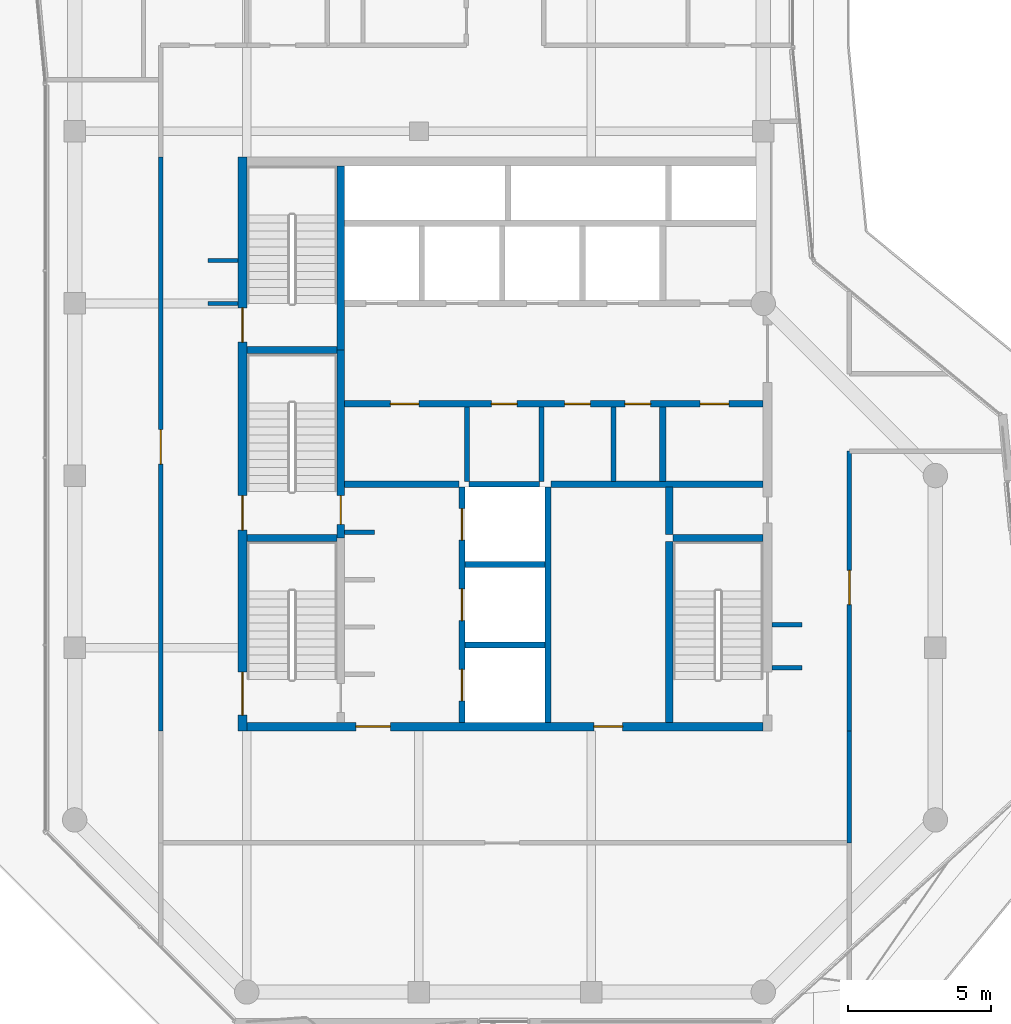
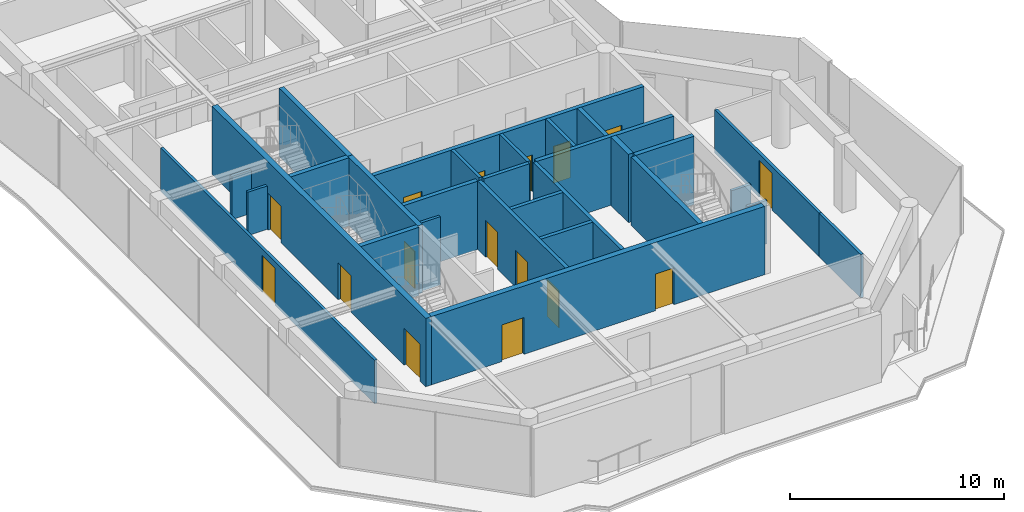
# One storey, part 18 of 22: 29 walls, 16 doors, 16 openings.
"""IFC4 building model written with IfcOpenShell, lengths in metres."""

from ifc_helpers import new_model, si_unit, direction, frame, frame_2d, origin, place, context, subcontext, project, spatial, rectangle, extrude, material, layer, layer_set, type_object, element, fill, save


model = new_model("IFC4")

# Units and contexts
model_context = context("Model", 3, precision=1e-05, world=origin(), true_north=direction((0.0, 1.0)))
body_context = subcontext(model_context, "Body", "Model", "MODEL_VIEW")
ifc_project = project(units=[si_unit("LENGTHUNIT", "METRE"), si_unit("AREAUNIT", "SQUARE_METRE"), si_unit("VOLUMEUNIT", "CUBIC_METRE"), si_unit("PLANEANGLEUNIT", "RADIAN"), si_unit("MASSUNIT", "GRAM", prefix="KILO")], contexts=[model_context])

# Site, building, storey
site_placement = place(None, origin())
site = spatial("IfcSite", under=ifc_project, at=site_placement, CompositionType="ELEMENT")
building_placement = place(site_placement, origin())
building = spatial("IfcBuilding", under=site, at=building_placement, Name="Welwitschia Terrace Campus", CompositionType="ELEMENT")
storey_placement = place(building_placement, frame((0.0, 0.0, 310.39990234375)))
storey = spatial("IfcBuildingStorey", under=building, at=storey_placement, Name="L69", CompositionType="ELEMENT", Elevation=310.39990234375)

# Walls
ifc_material_1 = material(Name="Concrete C32/40", Category="concrete")
ifc_layer_1 = layer(ifc_material_1, 0.175048828125)
ifc_layer_set_1 = layer_set([ifc_layer_1], Name="Concrete C32/40")
wall_type_1 = type_object("IfcWallType", Name="Core partition 175 Concrete C32/40", PredefinedType="PARTITIONING", material=ifc_layer_set_1)
for number, where, z_axis, x_axis, name in (
    (1, (13.675048828125, 13.800048828125, 0.0), (0.0, 0.0, 1.0), (0.0, 1.0, 0.0), "Core partition"),
    (2, (16.27490234375, 13.800048828125, 0.0), (0.0, 0.0, 1.0), (0.0, 1.0, 0.0), "Core partition"),
    (3, (18.77490234375, 13.800048828125, 0.0), (0.0, 0.0, 1.0), (0.0, 1.0, 0.0), "Core partition"),
):
    element("IfcWall", number, at=place(storey_placement, frame(where, z_axis=z_axis, x_axis=x_axis)), inside=storey, type_object=wall_type_1, Name=name, PredefinedType="PARTITIONING", context=body_context, shape_type="SweptSolid", body=[
        extrude(rectangle(XDim=2.599853515625, YDim=0.175048828125, at=frame_2d((1.2998046875, 0.0))), origin(), (0.0, 0.0, 1.0), 3.900146484375),
    ])
ifc_material_2 = material(Name="Concrete C32/40", Category="concrete")
ifc_layer_2 = layer(ifc_material_2, 0.22509765625)
ifc_layer_set_2 = layer_set([ifc_layer_2], Name="Concrete C32/40")
wall_type_2 = type_object("IfcWallType", Name="Core partition 225 Concrete C32/40", PredefinedType="PARTITIONING", material=ifc_layer_set_2)
wall_1_placement = place(storey_placement, frame((9.39990234375, 13.699951171875, 0.0), z_axis=(0.0, 0.0, 1.0), x_axis=(1.0, 0.0, 0.0)))
element("IfcWall", 4, at=wall_1_placement, inside=storey, type_object=wall_type_2, Name="Core partition", PredefinedType="PARTITIONING", context=body_context, shape_type="SweptSolid", body=[
    extrude(rectangle(XDim=4.0, YDim=0.22509765625, at=frame_2d((2.0, 0.0))), origin(), (0.0, 0.0, 1.0), 3.900146484375),
])
wall_2_placement = place(storey_placement, frame((16.60009765625, 13.699951171875, 0.0), z_axis=(0.0, 0.0, 1.0), x_axis=(1.0, 0.0, 0.0)))
element("IfcWall", 5, at=wall_2_placement, inside=storey, type_object=wall_type_2, Name="Core partition", PredefinedType="PARTITIONING", context=body_context, shape_type="SweptSolid", body=[
    extrude(rectangle(XDim=7.39990234375, YDim=0.22509765625, at=frame_2d((3.699951171875, 0.0))), origin(), (0.0, 0.0, 1.0), 3.900146484375),
])

# Wall, openings, doors
wall_3_placement = place(storey_placement, frame((9.39990234375, 16.5, 0.0), z_axis=(0.0, 0.0, 1.0), x_axis=(1.0, 0.0, 0.0)))
wall_3 = element("IfcWall", 6, at=wall_3_placement, inside=storey, type_object=wall_type_2, Name="Core partition", PredefinedType="PARTITIONING", context=body_context, shape_type="SweptSolid", body=[
    extrude(rectangle(XDim=14.60009765625, YDim=0.22509765625, at=frame_2d((7.300048828125, 0.0))), origin(), (0.0, 0.0, 1.0), 3.900146484375),
])
opening_1_placement = place(wall_3_placement, frame((1.60009765625, 0.0, 0.0)))
opening_1 = element("IfcOpeningElement", 7, at=opening_1_placement, cuts=wall_3, Name="Opening DR10", PredefinedType="OPENING", context=body_context, shape_type="SweptSolid", body=[
    extrude(rectangle(XDim=1.0, YDim=2.10009765625, at=frame_2d((0.5, 1.050048828125))), frame((0.0, 0.12255859375, 0.0), z_axis=(0.0, -1.0, 0.0), x_axis=(1.0, 0.0, 0.0)), (0.0, 0.0, 1.0), 0.2451171875),
])
opening_2_placement = place(wall_3_placement, frame((5.125, 0.0, 0.0)))
opening_2 = element("IfcOpeningElement", 8, at=opening_2_placement, cuts=wall_3, Name="Opening DR09", PredefinedType="OPENING", context=body_context, shape_type="SweptSolid", body=[
    extrude(rectangle(XDim=0.89990234375, YDim=2.10009765625, at=frame_2d((0.449951171875, 1.050048828125))), frame((0.0, 0.12255859375, 0.0), z_axis=(0.0, -1.0, 0.0), x_axis=(1.0, 0.0, 0.0)), (0.0, 0.0, 1.0), 0.2451171875),
])
opening_3_placement = place(wall_3_placement, frame((7.675048828125, 0.0, 0.0)))
opening_3 = element("IfcOpeningElement", 9, at=opening_3_placement, cuts=wall_3, Name="Opening DR09", PredefinedType="OPENING", context=body_context, shape_type="SweptSolid", body=[
    extrude(rectangle(XDim=0.89990234375, YDim=2.10009765625, at=frame_2d((0.449951171875, 1.050048828125))), frame((0.0, 0.12255859375, 0.0), z_axis=(0.0, -1.0, 0.0), x_axis=(1.0, 0.0, 0.0)), (0.0, 0.0, 1.0), 0.2451171875),
])
opening_4_placement = place(wall_3_placement, frame((9.77490234375, 0.0, 0.0)))
opening_4 = element("IfcOpeningElement", 10, at=opening_4_placement, cuts=wall_3, Name="Opening DR09", PredefinedType="OPENING", context=body_context, shape_type="SweptSolid", body=[
    extrude(rectangle(XDim=0.89990234375, YDim=2.10009765625, at=frame_2d((0.449951171875, 1.050048828125))), frame((0.0, 0.12255859375, 0.0), z_axis=(0.0, -1.0, 0.0), x_axis=(1.0, 0.0, 0.0)), (0.0, 0.0, 1.0), 0.2451171875),
])
opening_5_placement = place(wall_3_placement, frame((12.39990234375, 0.0, 0.0)))
opening_5 = element("IfcOpeningElement", 11, at=opening_5_placement, cuts=wall_3, Name="Opening DR10", PredefinedType="OPENING", context=body_context, shape_type="SweptSolid", body=[
    extrude(rectangle(XDim=1.0, YDim=2.10009765625, at=frame_2d((0.5, 1.050048828125))), frame((0.0, 0.12255859375, 0.0), z_axis=(0.0, -1.0, 0.0), x_axis=(1.0, 0.0, 0.0)), (0.0, 0.0, 1.0), 0.2451171875),
])
ifc_material_3 = material(Name="Steel S275", Category="steel")
door_type_1 = type_object("IfcDoorType", Name="Core door DR09", OperationType="SINGLE_SWING_LEFT", PredefinedType="DOOR", material=ifc_material_3)
door_1_placement = place(opening_2_placement, origin())
door_1 = element("IfcDoor", 12, at=door_1_placement, inside=storey, type_object=door_type_1, Name="Door BAYL2-D", OperationType="SINGLE_SWING_LEFT", OverallHeight=2.10009765625, OverallWidth=0.89990234375, PredefinedType="DOOR", context=body_context, shape_type="SweptSolid", body=[
    extrude(rectangle(XDim=0.89990234375, YDim=2.10009765625, at=frame_2d((0.449951171875, 1.050048828125))), frame((0.0, 0.02490234375, 0.0), z_axis=(0.0, -1.0, 0.0), x_axis=(1.0, 0.0, 0.0)), (0.0, 0.0, 1.0), 0.050048828125),
])
fill(opening_2, door_1)
door_2_placement = place(opening_3_placement, origin())
door_2 = element("IfcDoor", 13, at=door_2_placement, inside=storey, type_object=door_type_1, Name="Door BAYL3-D", OperationType="SINGLE_SWING_RIGHT", OverallHeight=2.10009765625, OverallWidth=0.89990234375, PredefinedType="DOOR", context=body_context, shape_type="SweptSolid", body=[
    extrude(rectangle(XDim=0.89990234375, YDim=2.10009765625, at=frame_2d((0.449951171875, 1.050048828125))), frame((0.0, 0.02490234375, 0.0), z_axis=(0.0, -1.0, 0.0), x_axis=(1.0, 0.0, 0.0)), (0.0, 0.0, 1.0), 0.050048828125),
])
fill(opening_3, door_2)
door_3_placement = place(opening_4_placement, origin())
door_3 = element("IfcDoor", 14, at=door_3_placement, inside=storey, type_object=door_type_1, Name="Door BAYL4-D", OperationType="SINGLE_SWING_RIGHT", OverallHeight=2.10009765625, OverallWidth=0.89990234375, PredefinedType="DOOR", context=body_context, shape_type="SweptSolid", body=[
    extrude(rectangle(XDim=0.89990234375, YDim=2.10009765625, at=frame_2d((0.449951171875, 1.050048828125))), frame((0.0, 0.02490234375, 0.0), z_axis=(0.0, -1.0, 0.0), x_axis=(1.0, 0.0, 0.0)), (0.0, 0.0, 1.0), 0.050048828125),
])
fill(opening_4, door_3)
ifc_material_4 = material(Name="Steel S275", Category="steel")
door_type_2 = type_object("IfcDoorType", Name="Core door DR10", OperationType="SINGLE_SWING_LEFT", PredefinedType="DOOR", material=ifc_material_4)
door_4_placement = place(opening_1_placement, origin())
door_4 = element("IfcDoor", 15, at=door_4_placement, inside=storey, type_object=door_type_2, Name="Door BAYL1-D", OperationType="SINGLE_SWING_LEFT", OverallHeight=2.10009765625, OverallWidth=1.0, PredefinedType="DOOR", context=body_context, shape_type="SweptSolid", body=[
    extrude(rectangle(XDim=1.0, YDim=2.10009765625, at=frame_2d((0.5, 1.050048828125))), frame((0.0, 0.02490234375, 0.0), z_axis=(0.0, -1.0, 0.0), x_axis=(1.0, 0.0, 0.0)), (0.0, 0.0, 1.0), 0.050048828125),
])
fill(opening_1, door_4)
door_5_placement = place(opening_5_placement, origin())
door_5 = element("IfcDoor", 16, at=door_5_placement, inside=storey, type_object=door_type_2, Name="Door EL-D", OperationType="SINGLE_SWING_RIGHT", OverallHeight=2.10009765625, OverallWidth=1.0, PredefinedType="DOOR", context=body_context, shape_type="SweptSolid", body=[
    extrude(rectangle(XDim=1.0, YDim=2.10009765625, at=frame_2d((0.5, 1.050048828125))), frame((0.0, 0.02490234375, 0.0), z_axis=(0.0, -1.0, 0.0), x_axis=(1.0, 0.0, 0.0)), (0.0, 0.0, 1.0), 0.050048828125),
])
fill(opening_5, door_5)

# Walls
wall_4_placement = place(storey_placement, frame((20.5, 13.800048828125, 0.0), z_axis=(0.0, 0.0, 1.0), x_axis=(0.0, 1.0, 0.0)))
element("IfcWall", 17, at=wall_4_placement, inside=storey, type_object=wall_type_2, Name="Core partition", PredefinedType="PARTITIONING", context=body_context, shape_type="SweptSolid", body=[
    extrude(rectangle(XDim=2.599853515625, YDim=0.22509765625, at=frame_2d((1.2998046875, 0.0))), origin(), (0.0, 0.0, 1.0), 3.900146484375),
])
ifc_material_5 = material(Name="Concrete C32/40", Category="concrete")
ifc_layer_3 = layer(ifc_material_5, 0.27490234375)
ifc_layer_set_3 = layer_set([ifc_layer_3], Name="Concrete C32/40")
wall_type_3 = type_object("IfcWallType", Name="Core partition 275 Concrete C32/40", PredefinedType="PARTITIONING", material=ifc_layer_set_3)
wall_5_placement = place(storey_placement, frame((20.72509765625, 11.949951171875, 0.0), z_axis=(0.0, 0.0, 1.0), x_axis=(0.0, 1.0, 0.0)))
element("IfcWall", 18, at=wall_5_placement, inside=storey, type_object=wall_type_3, Name="Core partition", PredefinedType="PARTITIONING", context=body_context, shape_type="SweptSolid", body=[
    extrude(rectangle(XDim=1.650146484375, YDim=0.27490234375, at=frame_2d((0.8251953125, 0.0))), origin(), (0.0, 0.0, 1.0), 3.900146484375),
])
ifc_material_6 = material(Name="Concrete C50/60", Category="concrete")
ifc_layer_4 = layer(ifc_material_6, 0.14990234375)
ifc_layer_set_4 = layer_set([ifc_layer_4], Name="Concrete C50/60")
wall_type_4 = type_object("IfcWallType", Name="Core wall 150 Concrete C50/60", PredefinedType="SHEAR", material=ifc_layer_set_4)
wall_6_placement = place(storey_placement, frame((9.39990234375, 12.02490234375, 0.0), z_axis=(0.0, 0.0, 1.0), x_axis=(1.0, 0.0, 0.0)))
element("IfcWall", 19, at=wall_6_placement, inside=storey, type_object=wall_type_4, Name="Core wall", PredefinedType="SHEAR", context=body_context, shape_type="SweptSolid", body=[
    extrude(rectangle(XDim=1.050048828125, YDim=0.14990234375, at=frame_2d((0.52490234375, 0.0))), origin(), (0.0, 0.0, 1.0), 3.900146484375),
])
ifc_material_7 = material(Name="Concrete C50/60", Category="concrete")
ifc_layer_5 = layer(ifc_material_7, 0.199951171875)
ifc_layer_set_5 = layer_set([ifc_layer_5], Name="Concrete C50/60")
wall_type_5 = type_object("IfcWallType", Name="Core wall 200 Concrete C50/60", PredefinedType="SHEAR", material=ifc_layer_set_5)
for number, where, z_axis, x_axis, name in (
    (20, (13.60009765625, 8.10009765625, 0.0), (0.0, 0.0, 1.0), (1.0, 0.0, 0.0), "Core wall"),
    (21, (13.60009765625, 10.89990234375, 0.0), (0.0, 0.0, 1.0), (1.0, 0.0, 0.0), "Core wall"),
):
    element("IfcWall", number, at=place(storey_placement, frame(where, z_axis=z_axis, x_axis=x_axis)), inside=storey, type_object=wall_type_5, Name=name, PredefinedType="SHEAR", context=body_context, shape_type="SweptSolid", body=[
        extrude(rectangle(XDim=2.7998046875, YDim=0.199951171875, at=frame_2d((1.39990234375, 0.0))), origin(), (0.0, 0.0, 1.0), 3.900146484375),
    ])
wall_7_placement = place(storey_placement, frame((13.75, 13.699951171875, 0.0), z_axis=(0.0, 0.0, 1.0), x_axis=(1.0, 0.0, 0.0)))
element("IfcWall", 22, at=wall_7_placement, inside=storey, type_object=wall_type_5, Name="Core wall", PredefinedType="SHEAR", context=body_context, shape_type="SweptSolid", body=[
    extrude(rectangle(XDim=2.449951171875, YDim=0.199951171875, at=frame_2d((1.22509765625, 0.0))), origin(), (0.0, 0.0, 1.0), 3.900146484375),
])

# Wall, openings, doors
wall_8_placement = place(storey_placement, frame((13.5, 5.39990234375, 0.0), z_axis=(0.0, 0.0, 1.0), x_axis=(0.0, 1.0, 0.0)))
wall_8 = element("IfcWall", 23, at=wall_8_placement, inside=storey, type_object=wall_type_5, Name="Core wall", PredefinedType="SHEAR", context=body_context, shape_type="SweptSolid", body=[
    extrude(rectangle(XDim=8.2001953125, YDim=0.199951171875, at=frame_2d((4.10009765625, 0.0))), origin(), (0.0, 0.0, 1.0), 3.900146484375),
])
opening_6_placement = place(wall_8_placement, frame((0.75, 0.0, 0.0)))
opening_6 = element("IfcOpeningElement", 24, at=opening_6_placement, cuts=wall_8, Name="Opening LD", PredefinedType="OPENING", context=body_context, shape_type="SweptSolid", body=[
    extrude(rectangle(XDim=1.10009765625, YDim=2.10009765625, at=frame_2d((0.550048828125, 1.050048828125))), frame((0.0, 0.10986328125, 0.0), z_axis=(0.0, -1.0, 0.0), x_axis=(1.0, 0.0, 0.0)), (0.0, 0.0, 1.0), 0.219970703125),
])
opening_7_placement = place(wall_8_placement, frame((3.550048828125, 0.0, 0.0)))
opening_7 = element("IfcOpeningElement", 25, at=opening_7_placement, cuts=wall_8, Name="Opening LD", PredefinedType="OPENING", context=body_context, shape_type="SweptSolid", body=[
    extrude(rectangle(XDim=1.10009765625, YDim=2.10009765625, at=frame_2d((0.550048828125, 1.050048828125))), frame((0.0, 0.10986328125, 0.0), z_axis=(0.0, -1.0, 0.0), x_axis=(1.0, 0.0, 0.0)), (0.0, 0.0, 1.0), 0.219970703125),
])
opening_8_placement = place(wall_8_placement, frame((6.35009765625, 0.0, 0.0)))
opening_8 = element("IfcOpeningElement", 26, at=opening_8_placement, cuts=wall_8, Name="Opening LD", PredefinedType="OPENING", context=body_context, shape_type="SweptSolid", body=[
    extrude(rectangle(XDim=1.10009765625, YDim=2.10009765625, at=frame_2d((0.550048828125, 1.050048828125))), frame((0.0, 0.10986328125, 0.0), z_axis=(0.0, -1.0, 0.0), x_axis=(1.0, 0.0, 0.0)), (0.0, 0.0, 1.0), 0.219970703125),
])
ifc_material_8 = material(Name="Stainless steel 304", Category="steel")
door_type_3 = type_object("IfcDoorType", Name="Lift landing door", OperationType="DOUBLE_DOOR_SLIDING", PredefinedType="DOOR", material=ifc_material_8)
door_6_placement = place(opening_6_placement, origin())
door_6 = element("IfcDoor", 27, at=door_6_placement, inside=storey, type_object=door_type_3, Name="Landing door FF1", OperationType="DOUBLE_DOOR_SLIDING", OverallHeight=2.10009765625, OverallWidth=1.10009765625, PredefinedType="DOOR", context=body_context, shape_type="SweptSolid", body=[
    extrude(rectangle(XDim=1.10009765625, YDim=2.10009765625, at=frame_2d((0.550048828125, 1.050048828125))), frame((0.0, 0.02490234375, 0.0), z_axis=(0.0, -1.0, 0.0), x_axis=(1.0, 0.0, 0.0)), (0.0, 0.0, 1.0), 0.050048828125),
])
fill(opening_6, door_6)
door_7_placement = place(opening_7_placement, origin())
door_7 = element("IfcDoor", 28, at=door_7_placement, inside=storey, type_object=door_type_3, Name="Landing door FF2", OperationType="DOUBLE_DOOR_SLIDING", OverallHeight=2.10009765625, OverallWidth=1.10009765625, PredefinedType="DOOR", context=body_context, shape_type="SweptSolid", body=[
    extrude(rectangle(XDim=1.10009765625, YDim=2.10009765625, at=frame_2d((0.550048828125, 1.050048828125))), frame((0.0, 0.02490234375, 0.0), z_axis=(0.0, -1.0, 0.0), x_axis=(1.0, 0.0, 0.0)), (0.0, 0.0, 1.0), 0.050048828125),
])
fill(opening_7, door_7)
door_8_placement = place(opening_8_placement, origin())
door_8 = element("IfcDoor", 29, at=door_8_placement, inside=storey, type_object=door_type_3, Name="Landing door SV1", OperationType="DOUBLE_DOOR_SLIDING", OverallHeight=2.10009765625, OverallWidth=1.10009765625, PredefinedType="DOOR", context=body_context, shape_type="SweptSolid", body=[
    extrude(rectangle(XDim=1.10009765625, YDim=2.10009765625, at=frame_2d((0.550048828125, 1.050048828125))), frame((0.0, 0.02490234375, 0.0), z_axis=(0.0, -1.0, 0.0), x_axis=(1.0, 0.0, 0.0)), (0.0, 0.0, 1.0), 0.050048828125),
])
fill(opening_8, door_8)

# Walls
wall_9_placement = place(storey_placement, frame((16.5, 5.39990234375, 0.0), z_axis=(0.0, 0.0, 1.0), x_axis=(0.0, 1.0, 0.0)))
element("IfcWall", 30, at=wall_9_placement, inside=storey, type_object=wall_type_5, Name="Core wall", PredefinedType="SHEAR", context=body_context, shape_type="SweptSolid", body=[
    extrude(rectangle(XDim=8.2001953125, YDim=0.199951171875, at=frame_2d((4.10009765625, 0.0))), origin(), (0.0, 0.0, 1.0), 3.900146484375),
])
ifc_material_9 = material(Name="Concrete C50/60", Category="concrete")
ifc_layer_6 = layer(ifc_material_9, 0.25)
ifc_layer_set_6 = layer_set([ifc_layer_6], Name="Concrete C50/60")
wall_type_6 = type_object("IfcWallType", Name="Core wall 250 Concrete C50/60", PredefinedType="SHEAR", material=ifc_layer_set_6)
for number, where, z_axis, x_axis, name in (
    (31, (6.0, 11.824951171875, 0.0), (0.0, 0.0, 1.0), (1.0, 0.0, 0.0), "Core wall"),
    (32, (20.85009765625, 11.824951171875, 0.0), (0.0, 0.0, 1.0), (1.0, 0.0, 0.0), "Core wall"),
    (33, (6.0, 18.375, 0.0), (0.0, 0.0, 1.0), (1.0, 0.0, 0.0), "Core wall"),
):
    element("IfcWall", number, at=place(storey_placement, frame(where, z_axis=z_axis, x_axis=x_axis)), inside=storey, type_object=wall_type_6, Name=name, PredefinedType="SHEAR", context=body_context, shape_type="SweptSolid", body=[
        extrude(rectangle(XDim=3.14990234375, YDim=0.25, at=frame_2d((1.574951171875, 0.0))), origin(), (0.0, 0.0, 1.0), 3.900146484375),
    ])

# Wall, opening, door
wall_10_placement = place(storey_placement, frame((9.27490234375, 18.375, 0.0), z_axis=(0.0, 0.0, 1.0), x_axis=(0.0, -1.0, 0.0)))
wall_10 = element("IfcWall", 34, at=wall_10_placement, inside=storey, type_object=wall_type_6, Name="Core wall", PredefinedType="SHEAR", context=body_context, shape_type="SweptSolid", body=[
    extrude(rectangle(XDim=6.550048828125, YDim=0.25, at=frame_2d((3.27490234375, 0.0))), origin(), (0.0, 0.0, 1.0), 3.900146484375),
])
opening_9_placement = place(wall_10_placement, frame((5.074951171875, 0.0, 0.0)))
opening_9 = element("IfcOpeningElement", 35, at=opening_9_placement, cuts=wall_10, Name="Opening DS10", PredefinedType="OPENING", context=body_context, shape_type="SweptSolid", body=[
    extrude(rectangle(XDim=1.0, YDim=2.10009765625, at=frame_2d((0.5, 1.050048828125))), frame((0.0, 0.135009765625, 0.0), z_axis=(0.0, -1.0, 0.0), x_axis=(1.0, 0.0, 0.0)), (0.0, 0.0, 1.0), 0.27001953125),
])
ifc_material_10 = material(Name="Steel S275", Category="steel")
door_type_4 = type_object("IfcDoorType", Name="Core door DS10", OperationType="SINGLE_SWING_LEFT", PredefinedType="DOOR", material=ifc_material_10)
door_9_placement = place(opening_9_placement, origin())
door_9 = element("IfcDoor", 36, at=door_9_placement, inside=storey, type_object=door_type_4, Name="Door S3-FL", OperationType="SINGLE_SWING_RIGHT", OverallHeight=2.10009765625, OverallWidth=1.0, PredefinedType="DOOR", context=body_context, shape_type="SweptSolid", body=[
    extrude(rectangle(XDim=1.0, YDim=2.10009765625, at=frame_2d((0.5, 1.050048828125))), frame((0.0, 0.02490234375, 0.0), z_axis=(0.0, -1.0, 0.0), x_axis=(1.0, 0.0, 0.0)), (0.0, 0.0, 1.0), 0.050048828125),
])
fill(opening_9, door_9)

# Walls
wall_11_placement = place(storey_placement, frame((9.27490234375, 18.375, 0.0), z_axis=(0.0, 0.0, 1.0), x_axis=(0.0, 1.0, 0.0)))
element("IfcWall", 37, at=wall_11_placement, inside=storey, type_object=wall_type_6, Name="Core wall", PredefinedType="SHEAR", context=body_context, shape_type="SweptSolid", body=[
    extrude(rectangle(XDim=6.425048828125, YDim=0.25, at=frame_2d((3.21240234375, 0.0))), origin(), (0.0, 0.0, 1.0), 3.900146484375),
])
wall_12_placement = place(storey_placement, frame((20.72509765625, 5.39990234375, 0.0), z_axis=(0.0, 0.0, 1.0), x_axis=(0.0, 1.0, 0.0)))
element("IfcWall", 38, at=wall_12_placement, inside=storey, type_object=wall_type_6, Name="Core wall", PredefinedType="SHEAR", context=body_context, shape_type="SweptSolid", body=[
    extrude(rectangle(XDim=6.300048828125, YDim=0.25, at=frame_2d((3.14990234375, 0.0))), origin(), (0.0, 0.0, 1.0), 3.900146484375),
])

# Wall, openings, doors
ifc_material_11 = material(Name="Concrete C50/60", Category="concrete")
ifc_layer_7 = layer(ifc_material_11, 0.300048828125)
ifc_layer_set_7 = layer_set([ifc_layer_7], Name="Concrete C50/60")
wall_type_7 = type_object("IfcWallType", Name="Core wall 300 Concrete C50/60", PredefinedType="SHEAR", material=ifc_layer_set_7)
wall_13_placement = place(storey_placement, frame((5.85009765625, 5.10009765625, 0.0), z_axis=(0.0, 0.0, 1.0), x_axis=(0.0, 1.0, 0.0)))
wall_13 = element("IfcWall", 39, at=wall_13_placement, inside=storey, type_object=wall_type_7, Name="Core outer wall", PredefinedType="SHEAR", context=body_context, shape_type="SweptSolid", body=[
    extrude(rectangle(XDim=20.0, YDim=0.300048828125, at=frame_2d((10.0, 0.0))), origin(), (0.0, 0.0, 1.0), 3.900146484375),
])
opening_10_placement = place(wall_13_placement, frame((0.550048828125, 0.0, 0.0)))
opening_10 = element("IfcOpeningElement", 40, at=opening_10_placement, cuts=wall_13, Name="Opening DS15", PredefinedType="OPENING", context=body_context, shape_type="SweptSolid", body=[
    extrude(rectangle(XDim=1.5, YDim=2.10009765625, at=frame_2d((0.75, 1.050048828125))), frame((0.0, 0.159912109375, 0.0), z_axis=(0.0, -1.0, 0.0), x_axis=(1.0, 0.0, 0.0)), (0.0, 0.0, 1.0), 0.320068359375),
])
opening_11_placement = place(wall_13_placement, frame((7.0, 0.0, 0.0)))
opening_11 = element("IfcOpeningElement", 41, at=opening_11_placement, cuts=wall_13, Name="Opening DS12", PredefinedType="OPENING", context=body_context, shape_type="SweptSolid", body=[
    extrude(rectangle(XDim=1.199951171875, YDim=2.10009765625, at=frame_2d((0.60009765625, 1.050048828125))), frame((0.0, 0.159912109375, 0.0), z_axis=(0.0, -1.0, 0.0), x_axis=(1.0, 0.0, 0.0)), (0.0, 0.0, 1.0), 0.320068359375),
])
opening_12_placement = place(wall_13_placement, frame((13.550048828125, 0.0, 0.0)))
opening_12 = element("IfcOpeningElement", 42, at=opening_12_placement, cuts=wall_13, Name="Opening DS12", PredefinedType="OPENING", context=body_context, shape_type="SweptSolid", body=[
    extrude(rectangle(XDim=1.199951171875, YDim=2.10009765625, at=frame_2d((0.60009765625, 1.050048828125))), frame((0.0, 0.159912109375, 0.0), z_axis=(0.0, -1.0, 0.0), x_axis=(1.0, 0.0, 0.0)), (0.0, 0.0, 1.0), 0.320068359375),
])
ifc_material_12 = material(Name="Steel S275", Category="steel")
door_type_5 = type_object("IfcDoorType", Name="Core door DS12", OperationType="SINGLE_SWING_LEFT", PredefinedType="DOOR", material=ifc_material_12)
door_10_placement = place(opening_11_placement, origin())
door_10 = element("IfcDoor", 43, at=door_10_placement, inside=storey, type_object=door_type_5, Name="Door S3-out", OperationType="SINGLE_SWING_LEFT", OverallHeight=2.10009765625, OverallWidth=1.199951171875, PredefinedType="DOOR", context=body_context, shape_type="SweptSolid", body=[
    extrude(rectangle(XDim=1.199951171875, YDim=2.10009765625, at=frame_2d((0.60009765625, 1.050048828125))), frame((0.0, 0.02490234375, 0.0), z_axis=(0.0, -1.0, 0.0), x_axis=(1.0, 0.0, 0.0)), (0.0, 0.0, 1.0), 0.050048828125),
])
fill(opening_11, door_10)
door_11_placement = place(opening_12_placement, origin())
door_11 = element("IfcDoor", 44, at=door_11_placement, inside=storey, type_object=door_type_5, Name="Door S4-out", OperationType="SINGLE_SWING_RIGHT", OverallHeight=2.10009765625, OverallWidth=1.199951171875, PredefinedType="DOOR", context=body_context, shape_type="SweptSolid", body=[
    extrude(rectangle(XDim=1.199951171875, YDim=2.10009765625, at=frame_2d((0.60009765625, 1.050048828125))), frame((0.0, 0.02490234375, 0.0), z_axis=(0.0, -1.0, 0.0), x_axis=(1.0, 0.0, 0.0)), (0.0, 0.0, 1.0), 0.050048828125),
])
fill(opening_12, door_11)
ifc_material_13 = material(Name="Steel S275", Category="steel")
door_type_6 = type_object("IfcDoorType", Name="Core door DS15", OperationType="DOUBLE_DOOR_SINGLE_SWING", PredefinedType="DOOR", material=ifc_material_13)
door_12_placement = place(opening_10_placement, origin())
door_12 = element("IfcDoor", 45, at=door_12_placement, inside=storey, type_object=door_type_6, Name="Door S1-out", OperationType="DOUBLE_DOOR_SINGLE_SWING", OverallHeight=2.10009765625, OverallWidth=1.5, PredefinedType="DOOR", context=body_context, shape_type="SweptSolid", body=[
    extrude(rectangle(XDim=1.5, YDim=2.10009765625, at=frame_2d((0.75, 1.050048828125))), frame((0.0, 0.02490234375, 0.0), z_axis=(0.0, -1.0, 0.0), x_axis=(1.0, 0.0, 0.0)), (0.0, 0.0, 1.0), 0.050048828125),
])
fill(opening_10, door_12)

wall_14_placement = place(storey_placement, frame((24.0, 5.25, 0.0), z_axis=(0.0, 0.0, 1.0), x_axis=(-1.0, 0.0, 0.0)))
wall_14 = element("IfcWall", 46, at=wall_14_placement, inside=storey, type_object=wall_type_7, Name="Core outer wall", PredefinedType="SHEAR", context=body_context, shape_type="SweptSolid", body=[
    extrude(rectangle(XDim=18.0, YDim=0.300048828125, at=frame_2d((9.0, 0.0))), origin(), (0.0, 0.0, 1.0), 3.900146484375),
])
opening_13_placement = place(wall_14_placement, frame((13.0, 0.0, 0.0)))
opening_13 = element("IfcOpeningElement", 47, at=opening_13_placement, cuts=wall_14, Name="Opening DF12", PredefinedType="OPENING", context=body_context, shape_type="SweptSolid", body=[
    extrude(rectangle(XDim=1.199951171875, YDim=2.10009765625, at=frame_2d((0.60009765625, 1.050048828125))), frame((0.0, 0.159912109375, 0.0), z_axis=(0.0, -1.0, 0.0), x_axis=(1.0, 0.0, 0.0)), (0.0, 0.0, 1.0), 0.320068359375),
])
opening_14_placement = place(wall_14_placement, frame((4.89990234375, 0.0, 0.0)))
opening_14 = element("IfcOpeningElement", 48, at=opening_14_placement, cuts=wall_14, Name="Opening DR10", PredefinedType="OPENING", context=body_context, shape_type="SweptSolid", body=[
    extrude(rectangle(XDim=1.0, YDim=2.10009765625, at=frame_2d((0.5, 1.050048828125))), frame((0.0, 0.159912109375, 0.0), z_axis=(0.0, -1.0, 0.0), x_axis=(1.0, 0.0, 0.0)), (0.0, 0.0, 1.0), 0.320068359375),
])
ifc_material_14 = material(Name="Steel S275", Category="steel")
door_type_7 = type_object("IfcDoorType", Name="Core door DF12", OperationType="SINGLE_SWING_LEFT", PredefinedType="DOOR", material=ifc_material_14)
door_13_placement = place(opening_13_placement, origin())
door_13 = element("IfcDoor", 49, at=door_13_placement, inside=storey, type_object=door_type_7, Name="Door FL-out", OperationType="SINGLE_SWING_RIGHT", OverallHeight=2.10009765625, OverallWidth=1.199951171875, PredefinedType="DOOR", context=body_context, shape_type="SweptSolid", body=[
    extrude(rectangle(XDim=1.199951171875, YDim=2.10009765625, at=frame_2d((0.60009765625, 1.050048828125))), frame((0.0, 0.02490234375, 0.0), z_axis=(0.0, -1.0, 0.0), x_axis=(1.0, 0.0, 0.0)), (0.0, 0.0, 1.0), 0.050048828125),
])
fill(opening_13, door_13)
door_14_placement = place(opening_14_placement, origin())
door_14 = element("IfcDoor", 50, at=door_14_placement, inside=storey, type_object=door_type_2, Name="Door F1-out", OperationType="SINGLE_SWING_LEFT", OverallHeight=2.10009765625, OverallWidth=1.0, PredefinedType="DOOR", context=body_context, shape_type="SweptSolid", body=[
    extrude(rectangle(XDim=1.0, YDim=2.10009765625, at=frame_2d((0.5, 1.050048828125))), frame((0.0, 0.02490234375, 0.0), z_axis=(0.0, -1.0, 0.0), x_axis=(1.0, 0.0, 0.0)), (0.0, 0.0, 1.0), 0.050048828125),
])
fill(opening_14, door_14)

# Wall, opening, door
ifc_material_15 = material(Name="Gypsum board on steel studs", Category="steel")
ifc_layer_8 = layer(ifc_material_15, 0.14990234375)
ifc_layer_set_8 = layer_set([ifc_layer_8], Name="Gypsum board on steel studs")
wall_type_8 = type_object("IfcWallType", Name="Corridor partition 150 EI 30", PredefinedType="PARTITIONING", material=ifc_layer_set_8)
wall_15_placement = place(storey_placement, frame((3.0, 5.10009765625, 0.0), z_axis=(0.0, 0.0, 1.0), x_axis=(0.0, 1.0, 0.0)))
wall_15 = element("IfcWall", 51, at=wall_15_placement, inside=storey, type_object=wall_type_8, Name="Partition", PredefinedType="PARTITIONING", context=body_context, shape_type="SweptSolid", body=[
    extrude(rectangle(XDim=20.0, YDim=0.14990234375, at=frame_2d((10.0, 0.0))), origin(), (0.0, 0.0, 1.0), 2.47998046875),
])
opening_15_placement = place(wall_15_placement, frame((9.300048828125, 0.0, 0.0)))
opening_15 = element("IfcOpeningElement", 52, at=opening_15_placement, cuts=wall_15, Name="Opening DI12", PredefinedType="OPENING", context=body_context, shape_type="SweptSolid", body=[
    extrude(rectangle(XDim=1.199951171875, YDim=2.10009765625, at=frame_2d((0.60009765625, 1.050048828125))), frame((0.0, 0.0849609375, 0.0), z_axis=(0.0, -1.0, 0.0), x_axis=(1.0, 0.0, 0.0)), (0.0, 0.0, 1.0), 0.169921875),
])
ifc_material_16 = material(Name="Timber veneered door", Category="wood")
door_type_8 = type_object("IfcDoorType", Name="Interior door DI12", OperationType="NOTDEFINED", PredefinedType="DOOR", material=ifc_material_16)
door_15_placement = place(opening_15_placement, origin())
door_15 = element("IfcDoor", 53, at=door_15_placement, inside=storey, type_object=door_type_8, Name="Door L69 1214", OperationType="SINGLE_SWING_LEFT", OverallHeight=2.10009765625, OverallWidth=1.199951171875, PredefinedType="DOOR", context=body_context, shape_type="SweptSolid", body=[
    extrude(rectangle(XDim=1.199951171875, YDim=2.10009765625, at=frame_2d((0.60009765625, 1.050048828125))), frame((0.0, 0.02490234375, 0.0), z_axis=(0.0, -1.0, 0.0), x_axis=(1.0, 0.0, 0.0)), (0.0, 0.0, 1.0), 0.050048828125),
])
fill(opening_15, door_15)

# Walls
for number, where, z_axis, x_axis, name in (
    (54, (4.64990234375, 20.0, 0.0), (0.0, 0.0, 1.0), (1.0, 0.0, 0.0), "Partition"),
    (55, (4.64990234375, 21.5, 0.0), (0.0, 0.0, 1.0), (1.0, 0.0, 0.0), "Partition"),
    (56, (24.300048828125, 7.300048828125, 0.0), (0.0, 0.0, 1.0), (1.0, 0.0, 0.0), "Partition"),
    (57, (24.300048828125, 8.800048828125, 0.0), (0.0, 0.0, 1.0), (1.0, 0.0, 0.0), "Partition"),
):
    element("IfcWall", number, at=place(storey_placement, frame(where, z_axis=z_axis, x_axis=x_axis)), inside=storey, type_object=wall_type_8, Name=name, PredefinedType="PARTITIONING", context=body_context, shape_type="SweptSolid", body=[
        extrude(rectangle(XDim=1.050048828125, YDim=0.14990234375, at=frame_2d((0.52490234375, 0.0))), origin(), (0.0, 0.0, 1.0), 2.47998046875),
    ])
wall_16_placement = place(storey_placement, frame((27.0, 1.199951171875, 0.0), z_axis=(0.0, 0.0, 1.0), x_axis=(0.0, 1.0, 0.0)))
element("IfcWall", 58, at=wall_16_placement, inside=storey, type_object=wall_type_8, Name="Partition", PredefinedType="PARTITIONING", context=body_context, shape_type="SweptSolid", body=[
    extrude(rectangle(XDim=3.900146484375, YDim=0.14990234375, at=frame_2d((1.9501953125, 0.0))), origin(), (0.0, 0.0, 1.0), 2.47998046875),
])

# Wall, opening, door
wall_17_placement = place(storey_placement, frame((27.0, 14.85009765625, 0.0), z_axis=(0.0, 0.0, 1.0), x_axis=(0.0, -1.0, 0.0)))
wall_17 = element("IfcWall", 59, at=wall_17_placement, inside=storey, type_object=wall_type_8, Name="Partition", PredefinedType="PARTITIONING", context=body_context, shape_type="SweptSolid", body=[
    extrude(rectangle(XDim=9.75, YDim=0.14990234375, at=frame_2d((4.875, 0.0))), origin(), (0.0, 0.0, 1.0), 2.47998046875),
])
opening_16_placement = place(wall_17_placement, frame((4.14990234375, 0.0, 0.0)))
opening_16 = element("IfcOpeningElement", 60, at=opening_16_placement, cuts=wall_17, Name="Opening DI12", PredefinedType="OPENING", context=body_context, shape_type="SweptSolid", body=[
    extrude(rectangle(XDim=1.199951171875, YDim=2.10009765625, at=frame_2d((0.60009765625, 1.050048828125))), frame((0.0, 0.0849609375, 0.0), z_axis=(0.0, -1.0, 0.0), x_axis=(1.0, 0.0, 0.0)), (0.0, 0.0, 1.0), 0.169921875),
])
door_16_placement = place(opening_16_placement, origin())
door_16 = element("IfcDoor", 61, at=door_16_placement, inside=storey, type_object=door_type_8, Name="Door L69 1228", OperationType="SINGLE_SWING_LEFT", OverallHeight=2.10009765625, OverallWidth=1.199951171875, PredefinedType="DOOR", context=body_context, shape_type="SweptSolid", body=[
    extrude(rectangle(XDim=1.199951171875, YDim=2.10009765625, at=frame_2d((0.60009765625, 1.050048828125))), frame((0.0, 0.02490234375, 0.0), z_axis=(0.0, -1.0, 0.0), x_axis=(1.0, 0.0, 0.0)), (0.0, 0.0, 1.0), 0.050048828125),
])
fill(opening_16, door_16)

save(model, "model.ifc")
